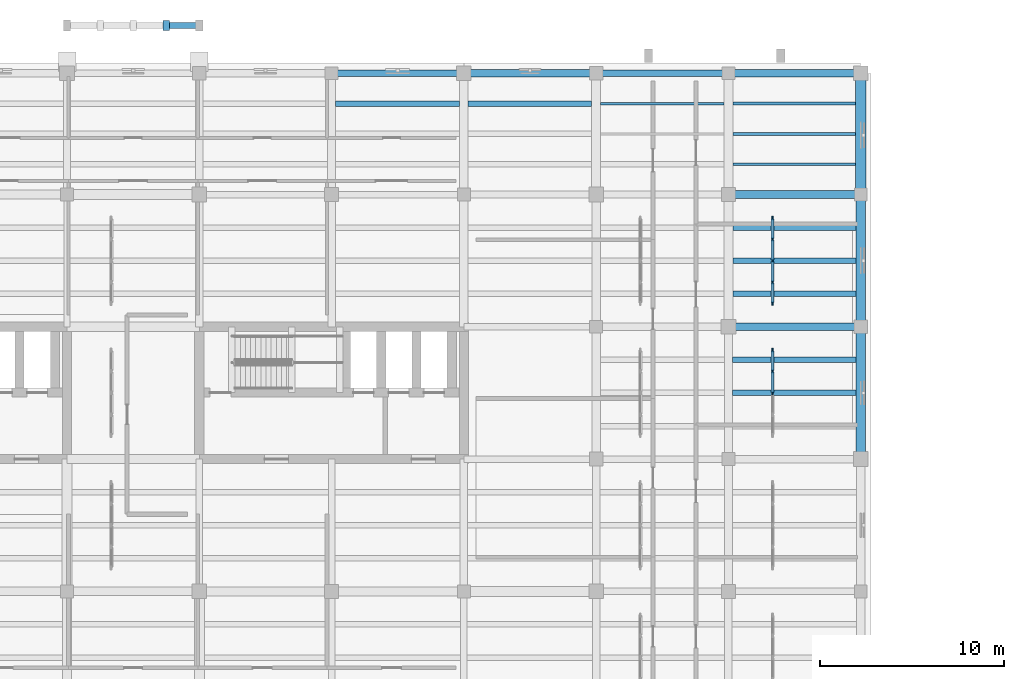
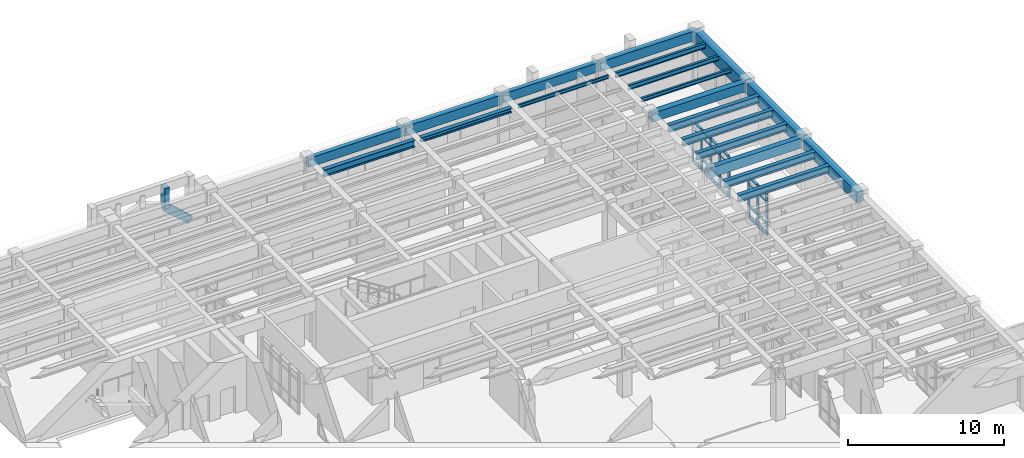
# One storey, part 34 of 76: 34 members, 20 beams, 2 elements without a shape of their own.
"""IFC4 building model written with IfcOpenShell, lengths in metres."""

from ifc_helpers import new_model, si_unit, direction, frame, origin, origin_2d, place, context, subcontext, project, spatial, rectangle, i_section, extrude, material, material_profile, profile_set, type_object, element, aggregate, save


model = new_model("IFC4")

# Units and contexts
model_context = context("Model", 3, precision=1e-05, world=origin(), true_north=direction((0.0, 1.0)))
body_context = subcontext(model_context, "Body", "Model", "MODEL_VIEW")
ifc_project = project(units=[si_unit("LENGTHUNIT", "METRE"), si_unit("AREAUNIT", "SQUARE_METRE"), si_unit("VOLUMEUNIT", "CUBIC_METRE"), si_unit("PLANEANGLEUNIT", "RADIAN"), si_unit("MASSUNIT", "GRAM", prefix="KILO")], contexts=[model_context])

# Site, building, storey
site_placement = place(None, origin())
site = spatial("IfcSite", under=ifc_project, at=site_placement, CompositionType="ELEMENT")
building_placement = place(site_placement, origin())
building = spatial("IfcBuilding", under=site, at=building_placement, Name="Mithqara Police Headquarters", CompositionType="ELEMENT")
storey_placement = place(building_placement, frame((0.0, 0.0, 5.39990234375)))
storey = spatial("IfcBuildingStorey", under=building, at=storey_placement, Name="L01", CompositionType="ELEMENT", Elevation=5.39990234375)

# Members
ifc_material_1 = material(Name="Concrete C50/60", Category="concrete")
ifc_material_profile_1 = material_profile(ifc_material_1, rectangle(XDim=0.35009765625, YDim=0.550048828125, at=origin_2d()), Name="ARC 350x550")
ifc_profile_set_1 = profile_set([ifc_material_profile_1], Name="Concrete C50/60")
member_type_1 = type_object("IfcMemberType", Name="ARCH SEG 350X550", PredefinedType="STRUT", material=ifc_profile_set_1)
member_1_placement = place(storey_placement, frame((128.39990234375, 116.60009765625, 1.64111328125), z_axis=(0.749262238602, 0.0, -0.662273431299), x_axis=(0.0, 1.0, 0.0)))
element("IfcMember", 1, at=member_1_placement, inside=storey, type_object=member_type_1, Name="Public Entrance Portal Ottoman Arch Chord 4", PredefinedType="STRUT", context=body_context, shape_type="SweptSolid", body=[
    extrude(rectangle(XDim=0.35009765625, YDim=0.550048828125, at=origin_2d()), origin(), (0.0, 0.0, 1.0), 2.40234375),
])
member_2_placement = place(storey_placement, frame((128.39990234375, 116.60009765625, 1.64111328125), z_axis=(0.0, 0.0, 1.0), x_axis=(1.0, 0.0, 0.0)))
element("IfcMember", 2, at=member_2_placement, inside=storey, type_object=member_type_1, Name="Public Entrance Portal Arch Spandrel Post 3", PredefinedType="STRUT", context=body_context, shape_type="SweptSolid", body=[
    extrude(rectangle(XDim=0.35009765625, YDim=0.550048828125, at=origin_2d()), origin(), (0.0, 0.0, 1.0), 1.60888671875),
])

# Beams
ifc_material_2 = material(Name="Steel S355JR", Category="steel")
ifc_material_profile_2 = material_profile(ifc_material_2, i_section(OverallWidth=0.300048828125, OverallDepth=0.360107421875, WebThickness=0.012451171875, FlangeThickness=0.0224609375, FilletRadius=0.027099609375, at=origin_2d()), Name="HEB 360")
ifc_profile_set_2 = profile_set([ifc_material_profile_2], Name="Steel S355JR")
beam_type_1 = type_object("IfcBeamType", Name="BEAM HEB360", PredefinedType="BEAM", material=ifc_profile_set_2)
beam_1_placement = place(storey_placement, frame((144.824951171875, 112.35009765625, 3.739990234375), z_axis=(1.0, 0.0, 0.0), x_axis=(0.0, 1.0, 0.0)))
element("IfcBeam", 3, at=beam_1_placement, inside=storey, type_object=beam_type_1, Name="L01 Composite Steel Joist 21-22/R.3", PredefinedType="BEAM", context=body_context, shape_type="SweptSolid", body=[
    extrude(i_section(OverallWidth=0.300048828125, OverallDepth=0.360107421875, WebThickness=0.012451171875, FlangeThickness=0.0224609375, FilletRadius=0.027099609375, at=origin_2d()), origin(), (0.0, 0.0, 1.0), 6.72509765625),
])
ifc_material_profile_3 = material_profile(ifc_material_2, i_section(OverallWidth=0.300048828125, OverallDepth=0.550048828125, WebThickness=0.014892578125, FlangeThickness=0.029052734375, FilletRadius=0.027099609375, at=origin_2d()), Name="HEB 550")
ifc_profile_set_3 = profile_set([ifc_material_profile_3], Name="Steel S355JR")
beam_type_2 = type_object("IfcBeamType", Name="BEAM HEB550", PredefinedType="BEAM", material=ifc_profile_set_3)
beam_2_placement = place(storey_placement, frame((137.625, 112.35009765625, 3.64501953125), z_axis=(1.0, 0.0, 0.0), x_axis=(0.0, 1.0, 0.0)))
element("IfcBeam", 4, at=beam_2_placement, inside=storey, type_object=beam_type_2, Name="L01 Composite Steel Joist 20-21/R.3", PredefinedType="BEAM", context=body_context, shape_type="SweptSolid", body=[
    extrude(i_section(OverallWidth=0.300048828125, OverallDepth=0.550048828125, WebThickness=0.014892578125, FlangeThickness=0.029052734375, FilletRadius=0.027099609375, at=origin_2d()), origin(), (0.0, 0.0, 1.0), 6.75),
])
for number, where, z_axis, x_axis, name in (
    (5, (159.22509765625, 96.60009765625, 3.64501953125), (1.0, 0.0, 0.0), (0.0, 1.0, 0.0), "L01 Composite Steel Joist 23-24/P.2"),
    (6, (159.22509765625, 98.39990234375, 3.64501953125), (1.0, 0.0, 0.0), (0.0, 1.0, 0.0), "L01 Composite Steel Joist 23-24/P.3"),
):
    element("IfcBeam", number, at=place(storey_placement, frame(where, z_axis=z_axis, x_axis=x_axis)), inside=storey, type_object=beam_type_2, Name=name, PredefinedType="BEAM", context=body_context, shape_type="SweptSolid", body=[
        extrude(i_section(OverallWidth=0.300048828125, OverallDepth=0.550048828125, WebThickness=0.014892578125, FlangeThickness=0.029052734375, FilletRadius=0.027099609375, at=origin_2d()), origin(), (0.0, 0.0, 1.0), 6.724853515625),
    ])
for number, where, z_axis, x_axis, name in (
    (7, (159.25, 102.0, 3.64501953125), (1.0, 0.0, 0.0), (0.0, 1.0, 0.0), "L01 Composite Steel Joist 23-24/Q.1"),
    (8, (159.25, 103.800048828125, 3.64501953125), (1.0, 0.0, 0.0), (0.0, 1.0, 0.0), "L01 Composite Steel Joist 23-24/Q.2"),
    (9, (159.25, 105.60009765625, 3.64501953125), (1.0, 0.0, 0.0), (0.0, 1.0, 0.0), "L01 Composite Steel Joist 23-24/Q.3"),
):
    element("IfcBeam", number, at=place(storey_placement, frame(where, z_axis=z_axis, x_axis=x_axis)), inside=storey, type_object=beam_type_2, Name=name, PredefinedType="BEAM", context=body_context, shape_type="SweptSolid", body=[
        extrude(i_section(OverallWidth=0.300048828125, OverallDepth=0.550048828125, WebThickness=0.014892578125, FlangeThickness=0.029052734375, FilletRadius=0.027099609375, at=origin_2d()), origin(), (0.0, 0.0, 1.0), 6.699951171875),
    ])
ifc_material_3 = material(Name="Concrete C40/50", Category="concrete")
ifc_material_profile_4 = material_profile(ifc_material_3, rectangle(XDim=0.39990234375, YDim=0.75, at=origin_2d()), Name="RC 400x750")
ifc_profile_set_4 = profile_set([ifc_material_profile_4], Name="Concrete C40/50")
beam_type_3 = type_object("IfcBeamType", Name="BEAM RC400X750", PredefinedType="BEAM", material=ifc_profile_set_4)
beam_3_placement = place(storey_placement, frame((159.0, 100.199951171875, 3.545166015625), z_axis=(1.0, 0.0, 0.0), x_axis=(0.0, 1.0, 0.0)))
element("IfcBeam", 10, at=beam_3_placement, inside=storey, type_object=beam_type_3, Name="L01 Girder 23-24/Q", PredefinedType="BEAM", context=body_context, shape_type="SweptSolid", body=[
    extrude(rectangle(XDim=0.39990234375, YDim=0.75, at=origin_2d()), origin(), (0.0, 0.0, 1.0), 7.199951171875),
])
ifc_material_profile_5 = material_profile(ifc_material_3, rectangle(XDim=0.449951171875, YDim=0.699951171875, at=origin_2d()), Name="RC 450x700")
ifc_profile_set_5 = profile_set([ifc_material_profile_5], Name="Concrete C40/50")
beam_type_4 = type_object("IfcBeamType", Name="BEAM RC450X700", PredefinedType="BEAM", material=ifc_profile_set_5)
beam_4_placement = place(storey_placement, frame((159.0, 107.39990234375, 3.570068359375), z_axis=(1.0, 0.0, 0.0), x_axis=(0.0, 1.0, 0.0)))
element("IfcBeam", 11, at=beam_4_placement, inside=storey, type_object=beam_type_4, Name="L01 Girder 23-24/R", PredefinedType="BEAM", context=body_context, shape_type="SweptSolid", body=[
    extrude(rectangle(XDim=0.449951171875, YDim=0.699951171875, at=origin_2d()), origin(), (0.0, 0.0, 1.0), 7.199951171875),
])
ifc_material_profile_6 = material_profile(ifc_material_3, rectangle(XDim=0.5, YDim=0.85009765625, at=origin_2d()), Name="RC 500x850")
ifc_profile_set_6 = profile_set([ifc_material_profile_6], Name="Concrete C40/50")
beam_type_5 = type_object("IfcBeamType", Name="BEAM RC500X850", PredefinedType="BEAM", material=ifc_profile_set_6)
beam_5_placement = place(storey_placement, frame((166.199951171875, 93.0, 3.4951171875), z_axis=(0.0, 1.0, 0.0), x_axis=(-1.0, 0.0, 0.0)))
element("IfcBeam", 12, at=beam_5_placement, inside=storey, type_object=beam_type_5, Name="L01 Girder 24/P-Q", PredefinedType="BEAM", context=body_context, shape_type="SweptSolid", body=[
    extrude(rectangle(XDim=0.5, YDim=0.85009765625, at=origin_2d()), origin(), (0.0, 0.0, 1.0), 7.199951171875),
])
ifc_material_profile_7 = material_profile(ifc_material_1, rectangle(XDim=0.5, YDim=0.89990234375, at=origin_2d()), Name="RC 500x900")
ifc_profile_set_7 = profile_set([ifc_material_profile_7], Name="Concrete C50/60")
beam_type_6 = type_object("IfcBeamType", Name="BEAM RC500X900", PredefinedType="BEAM", material=ifc_profile_set_7)
beam_6_placement = place(storey_placement, frame((166.199951171875, 100.199951171875, 3.47021484375), z_axis=(0.0, 1.0, 0.0), x_axis=(-1.0, 0.0, 0.0)))
element("IfcBeam", 13, at=beam_6_placement, inside=storey, type_object=beam_type_6, Name="L01 Girder 24/Q-R", PredefinedType="BEAM", context=body_context, shape_type="SweptSolid", body=[
    extrude(rectangle(XDim=0.5, YDim=0.89990234375, at=origin_2d()), origin(), (0.0, 0.0, 1.0), 7.199951171875),
])
ifc_material_profile_8 = material_profile(ifc_material_1, rectangle(XDim=0.550048828125, YDim=1.0, at=origin_2d()), Name="RC 550x1000")
ifc_profile_set_8 = profile_set([ifc_material_profile_8], Name="Concrete C50/60")
beam_type_7 = type_object("IfcBeamType", Name="BEAM RC550X1000", PredefinedType="BEAM", material=ifc_profile_set_8)
beam_7_placement = place(storey_placement, frame((166.199951171875, 107.39990234375, 3.420166015625), z_axis=(0.0, 1.0, 0.0), x_axis=(-1.0, 0.0, 0.0)))
element("IfcBeam", 14, at=beam_7_placement, inside=storey, type_object=beam_type_7, Name="L01 Girder 24/R-S", PredefinedType="BEAM", context=body_context, shape_type="SweptSolid", body=[
    extrude(rectangle(XDim=0.550048828125, YDim=1.0, at=origin_2d()), origin(), (0.0, 0.0, 1.0), 6.60009765625),
])

# Curtain wall, members
ifc_material_4 = material(Name="Bronze anodised aluminium 6063-T6", Category="aluminium")
curtain_wall_type = type_object("IfcCurtainWallType", Name="CURTAIN WALL 4700X3200", PredefinedType="USERDEFINED", material=ifc_material_4)
curtain_wall_1_placement = place(storey_placement, origin())
curtain_wall_1 = element("IfcCurtainWall", 15, at=curtain_wall_1_placement, inside=storey, type_object=curtain_wall_type, Name="L01 Unitised Glazing CW-15 (CW-INT-L01-X22-Y13-0)", ObjectType="UNITISED GLAZING", PredefinedType="USERDEFINED")
ifc_material_profile_9 = material_profile(ifc_material_4, rectangle(XDim=0.074951171875, YDim=0.219970703125, at=origin_2d()), Name="CWM 75x220")
ifc_profile_set_9 = profile_set([ifc_material_profile_9], Name="Bronze anodised aluminium 6063-T6")
member_type_2 = type_object("IfcMemberType", Name="CWMULLION 75X220", PredefinedType="MULLION", material=ifc_profile_set_9)
member_3_placement = place(storey_placement, frame((161.39990234375, 96.60009765625, 0.0), z_axis=(0.0, 0.0, 1.0), x_axis=(-1.0, 0.0, 0.0)))
member_3 = element("IfcMember", 16, at=member_3_placement, type_object=member_type_2, Name="CW-15 mullion 3", PredefinedType="MULLION", context=body_context, shape_type="SweptSolid", body=[
    extrude(rectangle(XDim=0.074951171875, YDim=0.219970703125, at=origin_2d()), origin(), (0.0, 0.0, 1.0), 3.2001953125),
])
member_4_placement = place(storey_placement, frame((161.39990234375, 97.77490234375, 0.0), z_axis=(0.0, 0.0, 1.0), x_axis=(-1.0, 0.0, 0.0)))
member_4 = element("IfcMember", 17, at=member_4_placement, type_object=member_type_2, Name="CW-15 mullion 4", PredefinedType="MULLION", context=body_context, shape_type="SweptSolid", body=[
    extrude(rectangle(XDim=0.074951171875, YDim=0.219970703125, at=origin_2d()), origin(), (0.0, 0.0, 1.0), 3.2001953125),
])
member_5_placement = place(storey_placement, frame((161.39990234375, 98.91259765625, 0.0), z_axis=(0.0, 0.0, 1.0), x_axis=(-1.0, 0.0, 0.0)))
member_5 = element("IfcMember", 18, at=member_5_placement, type_object=member_type_2, Name="CW-15 mullion 5", PredefinedType="MULLION", context=body_context, shape_type="SweptSolid", body=[
    extrude(rectangle(XDim=0.074951171875, YDim=0.219970703125, at=origin_2d()), origin(), (0.0, 0.0, 1.0), 3.2001953125),
])

curtain_wall_2_placement = place(storey_placement, origin())
curtain_wall_2 = element("IfcCurtainWall", 19, at=curtain_wall_2_placement, inside=storey, type_object=curtain_wall_type, Name="L01 Unitised Glazing CW-15 (CW-INT-L01-X22-Y14-0)", ObjectType="UNITISED GLAZING", PredefinedType="USERDEFINED")
member_6_placement = place(storey_placement, frame((161.39990234375, 101.487548828125, 0.0), z_axis=(0.0, 0.0, 1.0), x_axis=(-1.0, 0.0, 0.0)))
member_6 = element("IfcMember", 20, at=member_6_placement, type_object=member_type_2, Name="CW-15 mullion 1", PredefinedType="MULLION", context=body_context, shape_type="SweptSolid", body=[
    extrude(rectangle(XDim=0.074951171875, YDim=0.219970703125, at=origin_2d()), origin(), (0.0, 0.0, 1.0), 3.2001953125),
])
member_7_placement = place(storey_placement, frame((161.39990234375, 102.625, 0.0), z_axis=(0.0, 0.0, 1.0), x_axis=(-1.0, 0.0, 0.0)))
member_7 = element("IfcMember", 21, at=member_7_placement, type_object=member_type_2, Name="CW-15 mullion 2", PredefinedType="MULLION", context=body_context, shape_type="SweptSolid", body=[
    extrude(rectangle(XDim=0.074951171875, YDim=0.219970703125, at=origin_2d()), origin(), (0.0, 0.0, 1.0), 3.2001953125),
])
member_8_placement = place(storey_placement, frame((161.39990234375, 103.800048828125, 0.0), z_axis=(0.0, 0.0, 1.0), x_axis=(-1.0, 0.0, 0.0)))
member_8 = element("IfcMember", 22, at=member_8_placement, type_object=member_type_2, Name="CW-15 mullion 3", PredefinedType="MULLION", context=body_context, shape_type="SweptSolid", body=[
    extrude(rectangle(XDim=0.074951171875, YDim=0.219970703125, at=origin_2d()), origin(), (0.0, 0.0, 1.0), 3.2001953125),
])
member_9_placement = place(storey_placement, frame((161.39990234375, 104.97509765625, 0.0), z_axis=(0.0, 0.0, 1.0), x_axis=(-1.0, 0.0, 0.0)))
member_9 = element("IfcMember", 23, at=member_9_placement, type_object=member_type_2, Name="CW-15 mullion 4", PredefinedType="MULLION", context=body_context, shape_type="SweptSolid", body=[
    extrude(rectangle(XDim=0.074951171875, YDim=0.219970703125, at=origin_2d()), origin(), (0.0, 0.0, 1.0), 3.2001953125),
])
member_10_placement = place(storey_placement, frame((161.39990234375, 106.112548828125, 0.0), z_axis=(0.0, 0.0, 1.0), x_axis=(-1.0, 0.0, 0.0)))
member_10 = element("IfcMember", 24, at=member_10_placement, type_object=member_type_2, Name="CW-15 mullion 5", PredefinedType="MULLION", context=body_context, shape_type="SweptSolid", body=[
    extrude(rectangle(XDim=0.074951171875, YDim=0.219970703125, at=origin_2d()), origin(), (0.0, 0.0, 1.0), 3.2001953125),
])

# Member
ifc_material_profile_10 = material_profile(ifc_material_4, rectangle(XDim=0.179931640625, YDim=0.074951171875, at=origin_2d()), Name="CWT 180x75")
ifc_profile_set_10 = profile_set([ifc_material_profile_10], Name="Bronze anodised aluminium 6063-T6")
member_type_3 = type_object("IfcMemberType", Name="CWTRANSOM 180X75", PredefinedType="USERDEFINED", material=ifc_profile_set_10)
member_11_placement = place(storey_placement, frame((161.39990234375, 96.637451171875, 0.03759765625), z_axis=(0.0, 1.0, 0.0), x_axis=(-1.0, 0.0, 0.0)))
member_11 = element("IfcMember", 25, at=member_11_placement, type_object=member_type_3, Name="CW-15 transom 3.1", ObjectType="TRANSOM", PredefinedType="USERDEFINED", context=body_context, shape_type="SweptSolid", body=[
    extrude(rectangle(XDim=0.179931640625, YDim=0.074951171875, at=origin_2d()), origin(), (0.0, 0.0, 1.0), 1.10009765625),
])

member_12_placement = place(storey_placement, frame((161.39990234375, 96.637451171875, 0.900146484375), z_axis=(0.0, 1.0, 0.0), x_axis=(-1.0, 0.0, 0.0)))
member_12 = element("IfcMember", 26, at=member_12_placement, type_object=member_type_3, Name="CW-15 transom 3.2", ObjectType="TRANSOM", PredefinedType="USERDEFINED", context=body_context, shape_type="SweptSolid", body=[
    extrude(rectangle(XDim=0.179931640625, YDim=0.074951171875, at=origin_2d()), origin(), (0.0, 0.0, 1.0), 1.10009765625),
])

member_13_placement = place(storey_placement, frame((161.39990234375, 96.637451171875, 2.650146484375), z_axis=(0.0, 1.0, 0.0), x_axis=(-1.0, 0.0, 0.0)))
member_13 = element("IfcMember", 27, at=member_13_placement, type_object=member_type_3, Name="CW-15 transom 3.3", ObjectType="TRANSOM", PredefinedType="USERDEFINED", context=body_context, shape_type="SweptSolid", body=[
    extrude(rectangle(XDim=0.179931640625, YDim=0.074951171875, at=origin_2d()), origin(), (0.0, 0.0, 1.0), 1.10009765625),
])

member_14_placement = place(storey_placement, frame((161.39990234375, 96.637451171875, 3.16259765625), z_axis=(0.0, 1.0, 0.0), x_axis=(-1.0, 0.0, 0.0)))
member_14 = element("IfcMember", 28, at=member_14_placement, type_object=member_type_3, Name="CW-15 transom 3.4", ObjectType="TRANSOM", PredefinedType="USERDEFINED", context=body_context, shape_type="SweptSolid", body=[
    extrude(rectangle(XDim=0.179931640625, YDim=0.074951171875, at=origin_2d()), origin(), (0.0, 0.0, 1.0), 1.10009765625),
])

member_15_placement = place(storey_placement, frame((161.39990234375, 97.8125, 0.03759765625), z_axis=(0.0, 1.0, 0.0), x_axis=(-1.0, 0.0, 0.0)))
member_15 = element("IfcMember", 29, at=member_15_placement, type_object=member_type_3, Name="CW-15 transom 4.1", ObjectType="TRANSOM", PredefinedType="USERDEFINED", context=body_context, shape_type="SweptSolid", body=[
    extrude(rectangle(XDim=0.179931640625, YDim=0.074951171875, at=origin_2d()), origin(), (0.0, 0.0, 1.0), 1.0625),
])

member_16_placement = place(storey_placement, frame((161.39990234375, 97.8125, 0.900146484375), z_axis=(0.0, 1.0, 0.0), x_axis=(-1.0, 0.0, 0.0)))
member_16 = element("IfcMember", 30, at=member_16_placement, type_object=member_type_3, Name="CW-15 transom 4.2", ObjectType="TRANSOM", PredefinedType="USERDEFINED", context=body_context, shape_type="SweptSolid", body=[
    extrude(rectangle(XDim=0.179931640625, YDim=0.074951171875, at=origin_2d()), origin(), (0.0, 0.0, 1.0), 1.0625),
])

member_17_placement = place(storey_placement, frame((161.39990234375, 97.8125, 2.650146484375), z_axis=(0.0, 1.0, 0.0), x_axis=(-1.0, 0.0, 0.0)))
member_17 = element("IfcMember", 31, at=member_17_placement, type_object=member_type_3, Name="CW-15 transom 4.3", ObjectType="TRANSOM", PredefinedType="USERDEFINED", context=body_context, shape_type="SweptSolid", body=[
    extrude(rectangle(XDim=0.179931640625, YDim=0.074951171875, at=origin_2d()), origin(), (0.0, 0.0, 1.0), 1.0625),
])

member_18_placement = place(storey_placement, frame((161.39990234375, 97.8125, 3.16259765625), z_axis=(0.0, 1.0, 0.0), x_axis=(-1.0, 0.0, 0.0)))
member_18 = element("IfcMember", 32, at=member_18_placement, type_object=member_type_3, Name="CW-15 transom 4.4", ObjectType="TRANSOM", PredefinedType="USERDEFINED", context=body_context, shape_type="SweptSolid", body=[
    extrude(rectangle(XDim=0.179931640625, YDim=0.074951171875, at=origin_2d()), origin(), (0.0, 0.0, 1.0), 1.0625),
])

aggregate(curtain_wall_1, [member_3, member_4, member_5, member_11, member_12, member_13, member_14, member_15, member_16, member_17, member_18])

member_19_placement = place(storey_placement, frame((161.39990234375, 101.52490234375, 0.03759765625), z_axis=(0.0, 1.0, 0.0), x_axis=(-1.0, 0.0, 0.0)))
member_19 = element("IfcMember", 33, at=member_19_placement, type_object=member_type_3, Name="CW-15 transom 1.1", ObjectType="TRANSOM", PredefinedType="USERDEFINED", context=body_context, shape_type="SweptSolid", body=[
    extrude(rectangle(XDim=0.179931640625, YDim=0.074951171875, at=origin_2d()), origin(), (0.0, 0.0, 1.0), 1.0625),
])

member_20_placement = place(storey_placement, frame((161.39990234375, 101.52490234375, 0.900146484375), z_axis=(0.0, 1.0, 0.0), x_axis=(-1.0, 0.0, 0.0)))
member_20 = element("IfcMember", 34, at=member_20_placement, type_object=member_type_3, Name="CW-15 transom 1.2", ObjectType="TRANSOM", PredefinedType="USERDEFINED", context=body_context, shape_type="SweptSolid", body=[
    extrude(rectangle(XDim=0.179931640625, YDim=0.074951171875, at=origin_2d()), origin(), (0.0, 0.0, 1.0), 1.0625),
])

member_21_placement = place(storey_placement, frame((161.39990234375, 101.52490234375, 2.650146484375), z_axis=(0.0, 1.0, 0.0), x_axis=(-1.0, 0.0, 0.0)))
member_21 = element("IfcMember", 35, at=member_21_placement, type_object=member_type_3, Name="CW-15 transom 1.3", ObjectType="TRANSOM", PredefinedType="USERDEFINED", context=body_context, shape_type="SweptSolid", body=[
    extrude(rectangle(XDim=0.179931640625, YDim=0.074951171875, at=origin_2d()), origin(), (0.0, 0.0, 1.0), 1.0625),
])

member_22_placement = place(storey_placement, frame((161.39990234375, 101.52490234375, 3.16259765625), z_axis=(0.0, 1.0, 0.0), x_axis=(-1.0, 0.0, 0.0)))
member_22 = element("IfcMember", 36, at=member_22_placement, type_object=member_type_3, Name="CW-15 transom 1.4", ObjectType="TRANSOM", PredefinedType="USERDEFINED", context=body_context, shape_type="SweptSolid", body=[
    extrude(rectangle(XDim=0.179931640625, YDim=0.074951171875, at=origin_2d()), origin(), (0.0, 0.0, 1.0), 1.0625),
])

member_23_placement = place(storey_placement, frame((161.39990234375, 102.66259765625, 0.03759765625), z_axis=(0.0, 1.0, 0.0), x_axis=(-1.0, 0.0, 0.0)))
member_23 = element("IfcMember", 37, at=member_23_placement, type_object=member_type_3, Name="CW-15 transom 2.1", ObjectType="TRANSOM", PredefinedType="USERDEFINED", context=body_context, shape_type="SweptSolid", body=[
    extrude(rectangle(XDim=0.179931640625, YDim=0.074951171875, at=origin_2d()), origin(), (0.0, 0.0, 1.0), 1.099853515625),
])

member_24_placement = place(storey_placement, frame((161.39990234375, 102.66259765625, 0.900146484375), z_axis=(0.0, 1.0, 0.0), x_axis=(-1.0, 0.0, 0.0)))
member_24 = element("IfcMember", 38, at=member_24_placement, type_object=member_type_3, Name="CW-15 transom 2.2", ObjectType="TRANSOM", PredefinedType="USERDEFINED", context=body_context, shape_type="SweptSolid", body=[
    extrude(rectangle(XDim=0.179931640625, YDim=0.074951171875, at=origin_2d()), origin(), (0.0, 0.0, 1.0), 1.099853515625),
])

member_25_placement = place(storey_placement, frame((161.39990234375, 102.66259765625, 2.650146484375), z_axis=(0.0, 1.0, 0.0), x_axis=(-1.0, 0.0, 0.0)))
member_25 = element("IfcMember", 39, at=member_25_placement, type_object=member_type_3, Name="CW-15 transom 2.3", ObjectType="TRANSOM", PredefinedType="USERDEFINED", context=body_context, shape_type="SweptSolid", body=[
    extrude(rectangle(XDim=0.179931640625, YDim=0.074951171875, at=origin_2d()), origin(), (0.0, 0.0, 1.0), 1.099853515625),
])

member_26_placement = place(storey_placement, frame((161.39990234375, 102.66259765625, 3.16259765625), z_axis=(0.0, 1.0, 0.0), x_axis=(-1.0, 0.0, 0.0)))
member_26 = element("IfcMember", 40, at=member_26_placement, type_object=member_type_3, Name="CW-15 transom 2.4", ObjectType="TRANSOM", PredefinedType="USERDEFINED", context=body_context, shape_type="SweptSolid", body=[
    extrude(rectangle(XDim=0.179931640625, YDim=0.074951171875, at=origin_2d()), origin(), (0.0, 0.0, 1.0), 1.099853515625),
])

member_27_placement = place(storey_placement, frame((161.39990234375, 103.83740234375, 0.03759765625), z_axis=(0.0, 1.0, 0.0), x_axis=(-1.0, 0.0, 0.0)))
member_27 = element("IfcMember", 41, at=member_27_placement, type_object=member_type_3, Name="CW-15 transom 3.1", ObjectType="TRANSOM", PredefinedType="USERDEFINED", context=body_context, shape_type="SweptSolid", body=[
    extrude(rectangle(XDim=0.179931640625, YDim=0.074951171875, at=origin_2d()), origin(), (0.0, 0.0, 1.0), 1.10009765625),
])

member_28_placement = place(storey_placement, frame((161.39990234375, 103.83740234375, 0.900146484375), z_axis=(0.0, 1.0, 0.0), x_axis=(-1.0, 0.0, 0.0)))
member_28 = element("IfcMember", 42, at=member_28_placement, type_object=member_type_3, Name="CW-15 transom 3.2", ObjectType="TRANSOM", PredefinedType="USERDEFINED", context=body_context, shape_type="SweptSolid", body=[
    extrude(rectangle(XDim=0.179931640625, YDim=0.074951171875, at=origin_2d()), origin(), (0.0, 0.0, 1.0), 1.10009765625),
])

member_29_placement = place(storey_placement, frame((161.39990234375, 103.83740234375, 2.650146484375), z_axis=(0.0, 1.0, 0.0), x_axis=(-1.0, 0.0, 0.0)))
member_29 = element("IfcMember", 43, at=member_29_placement, type_object=member_type_3, Name="CW-15 transom 3.3", ObjectType="TRANSOM", PredefinedType="USERDEFINED", context=body_context, shape_type="SweptSolid", body=[
    extrude(rectangle(XDim=0.179931640625, YDim=0.074951171875, at=origin_2d()), origin(), (0.0, 0.0, 1.0), 1.10009765625),
])

member_30_placement = place(storey_placement, frame((161.39990234375, 103.83740234375, 3.16259765625), z_axis=(0.0, 1.0, 0.0), x_axis=(-1.0, 0.0, 0.0)))
member_30 = element("IfcMember", 44, at=member_30_placement, type_object=member_type_3, Name="CW-15 transom 3.4", ObjectType="TRANSOM", PredefinedType="USERDEFINED", context=body_context, shape_type="SweptSolid", body=[
    extrude(rectangle(XDim=0.179931640625, YDim=0.074951171875, at=origin_2d()), origin(), (0.0, 0.0, 1.0), 1.10009765625),
])

member_31_placement = place(storey_placement, frame((161.39990234375, 105.012451171875, 0.03759765625), z_axis=(0.0, 1.0, 0.0), x_axis=(-1.0, 0.0, 0.0)))
member_31 = element("IfcMember", 45, at=member_31_placement, type_object=member_type_3, Name="CW-15 transom 4.1", ObjectType="TRANSOM", PredefinedType="USERDEFINED", context=body_context, shape_type="SweptSolid", body=[
    extrude(rectangle(XDim=0.179931640625, YDim=0.074951171875, at=origin_2d()), origin(), (0.0, 0.0, 1.0), 1.0625),
])

member_32_placement = place(storey_placement, frame((161.39990234375, 105.012451171875, 0.900146484375), z_axis=(0.0, 1.0, 0.0), x_axis=(-1.0, 0.0, 0.0)))
member_32 = element("IfcMember", 46, at=member_32_placement, type_object=member_type_3, Name="CW-15 transom 4.2", ObjectType="TRANSOM", PredefinedType="USERDEFINED", context=body_context, shape_type="SweptSolid", body=[
    extrude(rectangle(XDim=0.179931640625, YDim=0.074951171875, at=origin_2d()), origin(), (0.0, 0.0, 1.0), 1.0625),
])

member_33_placement = place(storey_placement, frame((161.39990234375, 105.012451171875, 2.650146484375), z_axis=(0.0, 1.0, 0.0), x_axis=(-1.0, 0.0, 0.0)))
member_33 = element("IfcMember", 47, at=member_33_placement, type_object=member_type_3, Name="CW-15 transom 4.3", ObjectType="TRANSOM", PredefinedType="USERDEFINED", context=body_context, shape_type="SweptSolid", body=[
    extrude(rectangle(XDim=0.179931640625, YDim=0.074951171875, at=origin_2d()), origin(), (0.0, 0.0, 1.0), 1.0625),
])

member_34_placement = place(storey_placement, frame((161.39990234375, 105.012451171875, 3.16259765625), z_axis=(0.0, 1.0, 0.0), x_axis=(-1.0, 0.0, 0.0)))
member_34 = element("IfcMember", 48, at=member_34_placement, type_object=member_type_3, Name="CW-15 transom 4.4", ObjectType="TRANSOM", PredefinedType="USERDEFINED", context=body_context, shape_type="SweptSolid", body=[
    extrude(rectangle(XDim=0.179931640625, YDim=0.074951171875, at=origin_2d()), origin(), (0.0, 0.0, 1.0), 1.0625),
])

aggregate(curtain_wall_2, [member_6, member_7, member_8, member_9, member_10, member_19, member_20, member_21, member_22, member_23, member_24, member_25, member_26, member_27, member_28, member_29, member_30, member_31, member_32, member_33, member_34])

# Beams
ifc_material_profile_11 = material_profile(ifc_material_2, i_section(OverallWidth=0.135009765625, OverallDepth=0.27001953125, WebThickness=0.006591796875, FlangeThickness=0.01025390625, FilletRadius=0.014892578125, at=origin_2d()), Name="IPE 270")
ifc_profile_set_11 = profile_set([ifc_material_profile_11], Name="Steel S355JR")
beam_type_8 = type_object("IfcBeamType", Name="JOIST IPE270", PredefinedType="JOIST", material=ifc_profile_set_11)
beam_8_placement = place(storey_placement, frame((152.050048828125, 112.35009765625, 3.78515625), z_axis=(1.0, 0.0, 0.0), x_axis=(0.0, 1.0, 0.0)))
element("IfcBeam", 49, at=beam_8_placement, inside=storey, type_object=beam_type_8, Name="L01 Composite Steel Joist 22-23/R.3", PredefinedType="JOIST", context=body_context, shape_type="SweptSolid", body=[
    extrude(i_section(OverallWidth=0.135009765625, OverallDepth=0.27001953125, WebThickness=0.006591796875, FlangeThickness=0.01025390625, FilletRadius=0.014892578125, at=origin_2d()), origin(), (0.0, 0.0, 1.0), 6.699951171875),
])
ifc_material_profile_12 = material_profile(ifc_material_2, i_section(OverallWidth=0.14990234375, OverallDepth=0.300048828125, WebThickness=0.007080078125, FlangeThickness=0.0107421875, FilletRadius=0.014892578125, at=origin_2d()), Name="IPE 300")
ifc_profile_set_12 = profile_set([ifc_material_profile_12], Name="Steel S355JR")
beam_type_9 = type_object("IfcBeamType", Name="JOIST IPE300", PredefinedType="JOIST", material=ifc_profile_set_12)
beam_9_placement = place(storey_placement, frame((159.25, 109.050048828125, 3.77001953125), z_axis=(1.0, 0.0, 0.0), x_axis=(0.0, 1.0, 0.0)))
element("IfcBeam", 50, at=beam_9_placement, inside=storey, type_object=beam_type_9, Name="L01 Composite Steel Joist 23-24/R.1", PredefinedType="JOIST", context=body_context, shape_type="SweptSolid", body=[
    extrude(i_section(OverallWidth=0.14990234375, OverallDepth=0.300048828125, WebThickness=0.007080078125, FlangeThickness=0.0107421875, FilletRadius=0.014892578125, at=origin_2d()), origin(), (0.0, 0.0, 1.0), 6.675048828125),
])
ifc_material_profile_13 = material_profile(ifc_material_2, i_section(OverallWidth=0.169921875, OverallDepth=0.360107421875, WebThickness=0.008056640625, FlangeThickness=0.0126953125, FilletRadius=0.01806640625, at=origin_2d()), Name="IPE 360")
ifc_profile_set_13 = profile_set([ifc_material_profile_13], Name="Steel S355JR")
beam_type_10 = type_object("IfcBeamType", Name="JOIST IPE360", PredefinedType="JOIST", material=ifc_profile_set_13)
beam_10_placement = place(storey_placement, frame((159.25, 110.699951171875, 3.739990234375), z_axis=(1.0, 0.0, 0.0), x_axis=(0.0, 1.0, 0.0)))
element("IfcBeam", 51, at=beam_10_placement, inside=storey, type_object=beam_type_10, Name="L01 Composite Steel Joist 23-24/R.2", PredefinedType="JOIST", context=body_context, shape_type="SweptSolid", body=[
    extrude(i_section(OverallWidth=0.169921875, OverallDepth=0.360107421875, WebThickness=0.008056640625, FlangeThickness=0.0126953125, FilletRadius=0.01806640625, at=origin_2d()), origin(), (0.0, 0.0, 1.0), 6.675048828125),
])
ifc_material_profile_14 = material_profile(ifc_material_2, i_section(OverallWidth=0.179931640625, OverallDepth=0.39990234375, WebThickness=0.008544921875, FlangeThickness=0.013427734375, FilletRadius=0.02099609375, at=origin_2d()), Name="IPE 400")
ifc_profile_set_14 = profile_set([ifc_material_profile_14], Name="Steel S355JR")
beam_type_11 = type_object("IfcBeamType", Name="JOIST IPE400", PredefinedType="JOIST", material=ifc_profile_set_14)
beam_11_placement = place(storey_placement, frame((159.25, 112.35009765625, 3.72021484375), z_axis=(1.0, 0.0, 0.0), x_axis=(0.0, 1.0, 0.0)))
element("IfcBeam", 52, at=beam_11_placement, inside=storey, type_object=beam_type_11, Name="L01 Composite Steel Joist 23-24/R.3", PredefinedType="JOIST", context=body_context, shape_type="SweptSolid", body=[
    extrude(i_section(OverallWidth=0.179931640625, OverallDepth=0.39990234375, WebThickness=0.008544921875, FlangeThickness=0.013427734375, FilletRadius=0.02099609375, at=origin_2d()), origin(), (0.0, 0.0, 1.0), 6.675048828125),
])
ifc_material_profile_15 = material_profile(ifc_material_3, rectangle(XDim=0.35009765625, YDim=0.699951171875, at=origin_2d()), Name="SPB 350x700")
ifc_profile_set_15 = profile_set([ifc_material_profile_15], Name="Concrete C40/50")
beam_type_12 = type_object("IfcBeamType", Name="SPANDREL 350X700", PredefinedType="SPANDREL", material=ifc_profile_set_15)
beam_12_placement = place(storey_placement, frame((137.39990234375, 114.0, 3.570068359375), z_axis=(1.0, 0.0, 0.0), x_axis=(0.0, 1.0, 0.0)))
element("IfcBeam", 53, at=beam_12_placement, inside=storey, type_object=beam_type_12, Name="L01 Girder 20-21/S", PredefinedType="SPANDREL", context=body_context, shape_type="SweptSolid", body=[
    extrude(rectangle(XDim=0.35009765625, YDim=0.699951171875, at=origin_2d()), origin(), (0.0, 0.0, 1.0), 7.2001953125),
])
beam_13_placement = place(storey_placement, frame((151.800048828125, 114.0, 3.570068359375), z_axis=(1.0, 0.0, 0.0), x_axis=(0.0, 1.0, 0.0)))
element("IfcBeam", 54, at=beam_13_placement, inside=storey, type_object=beam_type_12, Name="L01 Girder 22-23/S", PredefinedType="SPANDREL", context=body_context, shape_type="SweptSolid", body=[
    extrude(rectangle(XDim=0.35009765625, YDim=0.699951171875, at=origin_2d()), origin(), (0.0, 0.0, 1.0), 7.199951171875),
])
ifc_material_profile_16 = material_profile(ifc_material_3, rectangle(XDim=0.39990234375, YDim=0.75, at=origin_2d()), Name="SPB 400x750")
ifc_profile_set_16 = profile_set([ifc_material_profile_16], Name="Concrete C40/50")
beam_type_13 = type_object("IfcBeamType", Name="SPANDREL 400X750", PredefinedType="SPANDREL", material=ifc_profile_set_16)
for number, where, z_axis, x_axis, name in (
    (55, (144.60009765625, 114.0, 3.545166015625), (1.0, 0.0, 0.0), (0.0, 1.0, 0.0), "L01 Girder 21-22/S"),
    (56, (159.0, 114.0, 3.545166015625), (1.0, 0.0, 0.0), (0.0, 1.0, 0.0), "L01 Girder 23-24/S"),
):
    element("IfcBeam", number, at=place(storey_placement, frame(where, z_axis=z_axis, x_axis=x_axis)), inside=storey, type_object=beam_type_13, Name=name, PredefinedType="SPANDREL", context=body_context, shape_type="SweptSolid", body=[
        extrude(rectangle(XDim=0.39990234375, YDim=0.75, at=origin_2d()), origin(), (0.0, 0.0, 1.0), 7.199951171875),
    ])

save(model, "model.ifc")
